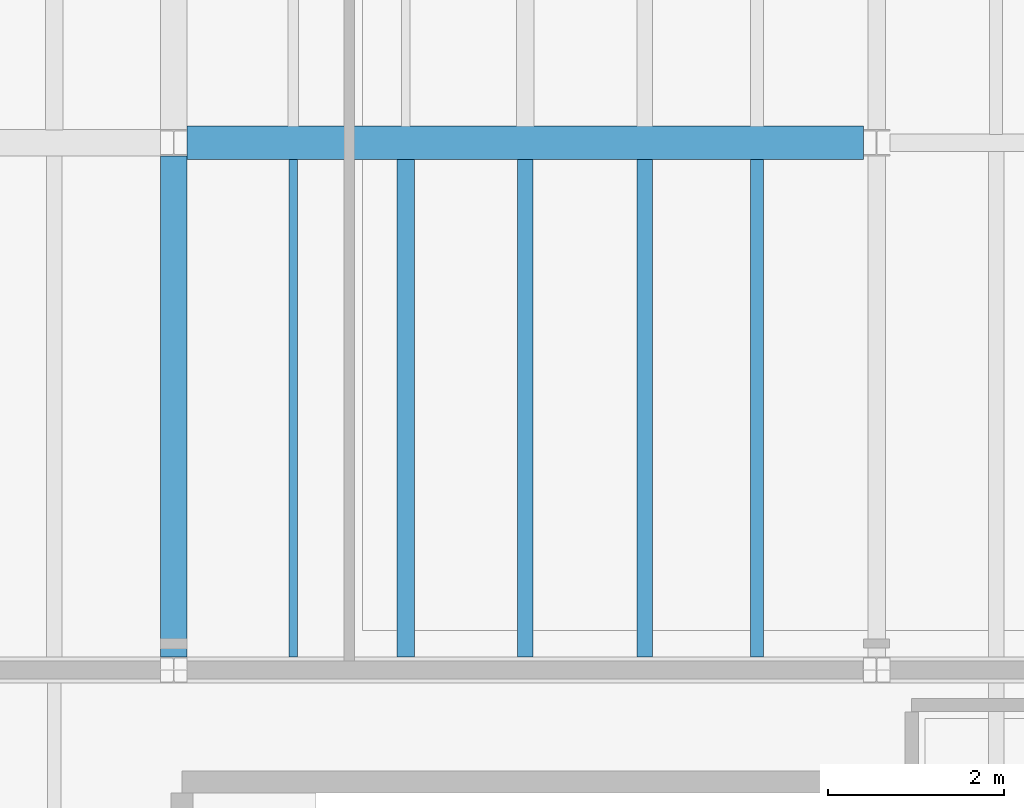
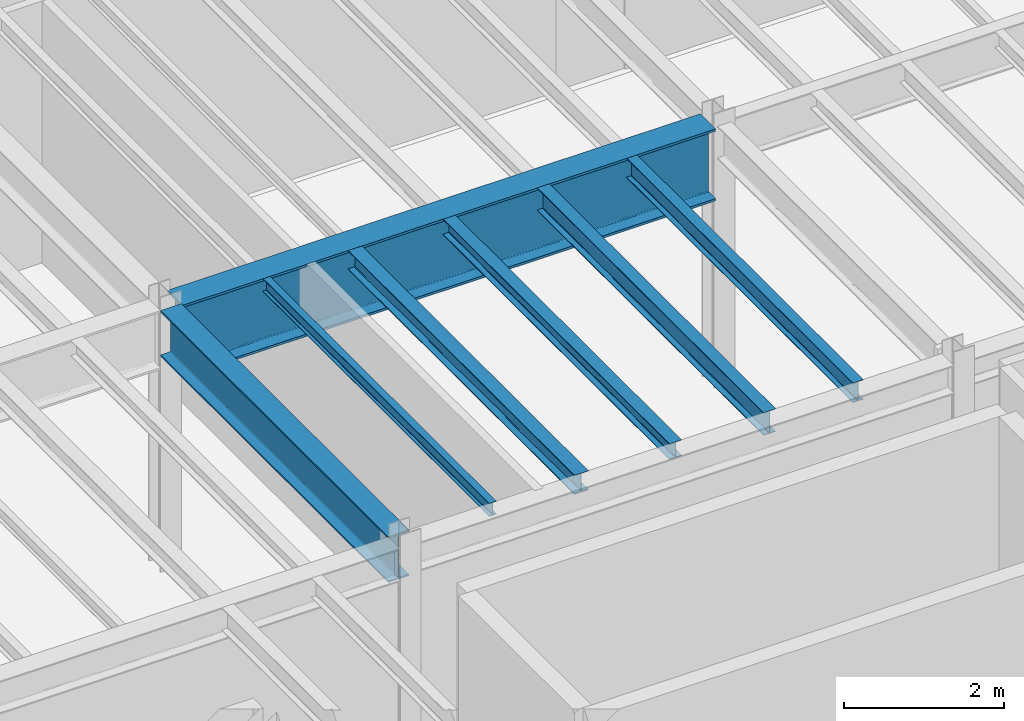
# One storey, part 13 of 78: 7 beams.
"""IFC4 building model written with IfcOpenShell, lengths in metres."""

from ifc_helpers import new_model, si_unit, direction, frame, origin, origin_2d, place, context, subcontext, project, spatial, i_section, extrude, material, material_profile, profile_set, type_object, element, save


model = new_model("IFC4")

# Units and contexts
model_context = context("Model", 3, precision=1e-05, world=origin(), true_north=direction((0.0, 1.0)))
body_context = subcontext(model_context, "Body", "Model", "MODEL_VIEW")
ifc_project = project(units=[si_unit("LENGTHUNIT", "METRE"), si_unit("AREAUNIT", "SQUARE_METRE"), si_unit("VOLUMEUNIT", "CUBIC_METRE"), si_unit("PLANEANGLEUNIT", "RADIAN"), si_unit("MASSUNIT", "GRAM", prefix="KILO"), si_unit("THERMODYNAMICTEMPERATUREUNIT", "KELVIN"), si_unit("POWERUNIT", "WATT")], contexts=[model_context])

# Site, building, storey
site_placement = place(None, origin())
site = spatial("IfcSite", under=ifc_project, at=site_placement, CompositionType="ELEMENT")
building_placement = place(site_placement, origin())
building = spatial("IfcBuilding", under=site, at=building_placement, Name="Zhenchuan Central Fire Station", CompositionType="ELEMENT")
storey_placement = place(building_placement, frame((0.0, 0.0, 5.85009765625)))
storey = spatial("IfcBuildingStorey", under=building, at=storey_placement, Name="L02", CompositionType="ELEMENT", Elevation=5.85009765625)

# Beams
ifc_material = material(Name="Steel Q355B", Category="steel")
ifc_material_profile_1 = material_profile(ifc_material, i_section(OverallWidth=0.300048828125, OverallDepth=0.699951171875, WebThickness=0.012939453125, FlangeThickness=0.02392578125, FilletRadius=0.02392578125, at=origin_2d()), Name="HN 700x300")
ifc_profile_set_1 = profile_set([ifc_material_profile_1], Name="Steel Q355B")
beam_type_1 = type_object("IfcBeamType", Name="BM-HN700", PredefinedType="BEAM", material=ifc_profile_set_1)
beam_1_placement = place(storey_placement, frame((24.0, 22.64990234375, 3.64990234375), z_axis=(0.0, 1.0, 0.0), x_axis=(-1.0, 0.0, 0.0)))
element("IfcBeam", 1, at=beam_1_placement, inside=storey, type_object=beam_type_1, Name="L03 Girder NS 0296", PredefinedType="BEAM", context=body_context, shape_type="SweptSolid", body=[
    extrude(i_section(OverallWidth=0.300048828125, OverallDepth=0.699951171875, WebThickness=0.012939453125, FlangeThickness=0.02392578125, FilletRadius=0.02392578125, at=origin_2d()), origin(), (0.0, 0.0, 1.0), 5.7001953125),
])
ifc_material_profile_2 = material_profile(ifc_material, i_section(OverallWidth=0.3798828125, OverallDepth=1.10009765625, WebThickness=0.02001953125, FlangeThickness=0.035888671875, FilletRadius=0.02392578125, at=origin_2d()), Name="PG 1100x380")
ifc_profile_set_2 = profile_set([ifc_material_profile_2], Name="Steel Q355B")
beam_type_2 = type_object("IfcBeamType", Name="BM-PG1100", PredefinedType="BEAM", material=ifc_profile_set_2)
beam_2_placement = place(storey_placement, frame((24.14990234375, 28.5, 3.449951171875), z_axis=(1.0, 0.0, 0.0), x_axis=(0.0, 1.0, 0.0)))
element("IfcBeam", 2, at=beam_2_placement, inside=storey, type_object=beam_type_2, Name="L03 Girder EW 0224", PredefinedType="BEAM", context=body_context, shape_type="SweptSolid", body=[
    extrude(i_section(OverallWidth=0.3798828125, OverallDepth=1.10009765625, WebThickness=0.02001953125, FlangeThickness=0.035888671875, FilletRadius=0.02392578125, at=origin_2d()), origin(), (0.0, 0.0, 1.0), 7.7001953125),
])
ifc_material_profile_3 = material_profile(ifc_material, i_section(OverallWidth=0.175048828125, OverallDepth=0.243896484375, WebThickness=0.007080078125, FlangeThickness=0.010986328125, FilletRadius=0.012939453125, at=origin_2d()), Name="HM 244x175")
ifc_profile_set_3 = profile_set([ifc_material_profile_3], Name="Steel Q355B")
beam_type_3 = type_object("IfcBeamType", Name="JS-HM244", PredefinedType="JOIST", material=ifc_profile_set_3)
beam_3_placement = place(storey_placement, frame((28.0, 22.64697265625, 3.8779296875), z_axis=(0.0, 1.0, 0.0), x_axis=(-1.0, 0.0, 0.0)))
element("IfcBeam", 3, at=beam_3_placement, inside=storey, type_object=beam_type_3, Name="L03 Secondary Joist 0402", PredefinedType="JOIST", context=body_context, shape_type="SweptSolid", body=[
    extrude(i_section(OverallWidth=0.175048828125, OverallDepth=0.243896484375, WebThickness=0.007080078125, FlangeThickness=0.010986328125, FilletRadius=0.012939453125, at=origin_2d()), origin(), (0.0, 0.0, 1.0), 5.666015625),
])
ifc_material_profile_4 = material_profile(ifc_material, i_section(OverallWidth=0.199951171875, OverallDepth=0.2939453125, WebThickness=0.008056640625, FlangeThickness=0.011962890625, FilletRadius=0.01611328125, at=origin_2d()), Name="HM 294x200")
ifc_profile_set_4 = profile_set([ifc_material_profile_4], Name="Steel Q355B")
beam_type_4 = type_object("IfcBeamType", Name="JS-HM294", PredefinedType="JOIST", material=ifc_profile_set_4)
beam_4_placement = place(storey_placement, frame((26.639892578125, 22.64697265625, 3.852783203125), z_axis=(0.0, 1.0, 0.0), x_axis=(-1.0, 0.0, 0.0)))
element("IfcBeam", 4, at=beam_4_placement, inside=storey, type_object=beam_type_4, Name="L03 Secondary Joist 0401", PredefinedType="JOIST", context=body_context, shape_type="SweptSolid", body=[
    extrude(i_section(OverallWidth=0.199951171875, OverallDepth=0.2939453125, WebThickness=0.008056640625, FlangeThickness=0.011962890625, FilletRadius=0.01611328125, at=origin_2d()), origin(), (0.0, 0.0, 1.0), 5.666015625),
])
ifc_material_profile_5 = material_profile(ifc_material, i_section(OverallWidth=0.10009765625, OverallDepth=0.199951171875, WebThickness=0.005615234375, FlangeThickness=0.008056640625, FilletRadius=0.010986328125, at=origin_2d()), Name="HN 200x100")
ifc_profile_set_5 = profile_set([ifc_material_profile_5], Name="Steel Q355B")
beam_type_5 = type_object("IfcBeamType", Name="JS-HN200", PredefinedType="JOIST", material=ifc_profile_set_5)
beam_5_placement = place(storey_placement, frame((25.360107421875, 22.64697265625, 3.89990234375), z_axis=(0.0, 1.0, 0.0), x_axis=(-1.0, 0.0, 0.0)))
element("IfcBeam", 5, at=beam_5_placement, inside=storey, type_object=beam_type_5, Name="L03 Secondary Joist 0400", PredefinedType="JOIST", context=body_context, shape_type="SweptSolid", body=[
    extrude(i_section(OverallWidth=0.10009765625, OverallDepth=0.199951171875, WebThickness=0.005615234375, FlangeThickness=0.008056640625, FilletRadius=0.010986328125, at=origin_2d()), origin(), (0.0, 0.0, 1.0), 5.666015625),
])
ifc_material_profile_6 = material_profile(ifc_material, i_section(OverallWidth=0.14990234375, OverallDepth=0.300048828125, WebThickness=0.006591796875, FlangeThickness=0.009033203125, FilletRadius=0.012939453125, at=origin_2d()), Name="HN 300x150")
ifc_profile_set_6 = profile_set([ifc_material_profile_6], Name="Steel Q355B")
beam_type_6 = type_object("IfcBeamType", Name="JS-HN300", PredefinedType="JOIST", material=ifc_profile_set_6)
beam_6_placement = place(storey_placement, frame((30.639892578125, 22.64697265625, 3.849853515625), z_axis=(0.0, 1.0, 0.0), x_axis=(-1.0, 0.0, 0.0)))
element("IfcBeam", 6, at=beam_6_placement, inside=storey, type_object=beam_type_6, Name="L03 Secondary Joist 0404", PredefinedType="JOIST", context=body_context, shape_type="SweptSolid", body=[
    extrude(i_section(OverallWidth=0.14990234375, OverallDepth=0.300048828125, WebThickness=0.006591796875, FlangeThickness=0.009033203125, FilletRadius=0.012939453125, at=origin_2d()), origin(), (0.0, 0.0, 1.0), 5.666015625),
])
ifc_material_profile_7 = material_profile(ifc_material, i_section(OverallWidth=0.175048828125, OverallDepth=0.35009765625, WebThickness=0.007080078125, FlangeThickness=0.010986328125, FilletRadius=0.013916015625, at=origin_2d()), Name="HN 350x175")
ifc_profile_set_7 = profile_set([ifc_material_profile_7], Name="Steel Q355B")
beam_type_7 = type_object("IfcBeamType", Name="JS-HN350", PredefinedType="JOIST", material=ifc_profile_set_7)
beam_7_placement = place(storey_placement, frame((29.360107421875, 22.64697265625, 3.824951171875), z_axis=(0.0, 1.0, 0.0), x_axis=(-1.0, 0.0, 0.0)))
element("IfcBeam", 7, at=beam_7_placement, inside=storey, type_object=beam_type_7, Name="L03 Secondary Joist 0403", PredefinedType="JOIST", context=body_context, shape_type="SweptSolid", body=[
    extrude(i_section(OverallWidth=0.175048828125, OverallDepth=0.35009765625, WebThickness=0.007080078125, FlangeThickness=0.010986328125, FilletRadius=0.013916015625, at=origin_2d()), origin(), (0.0, 0.0, 1.0), 5.666015625),
])

save(model, "model.ifc")
